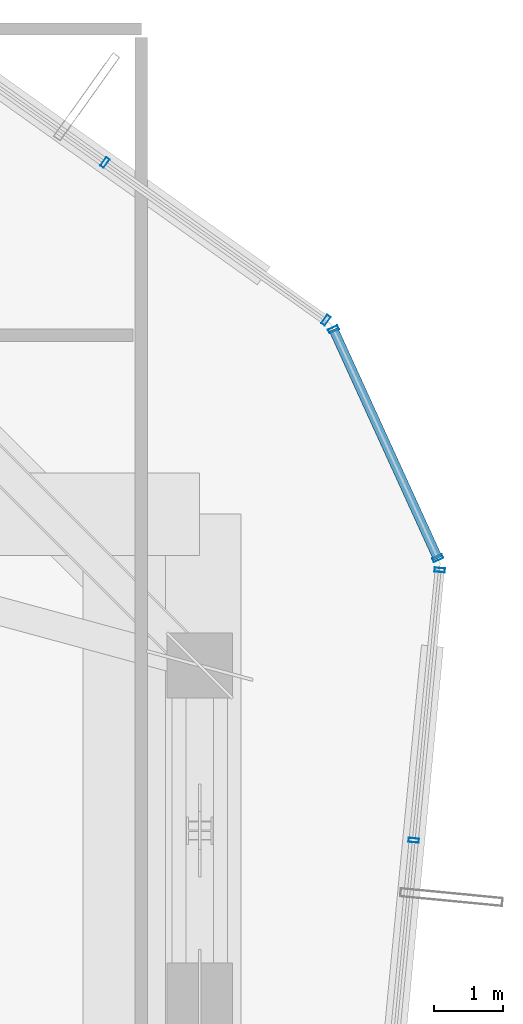
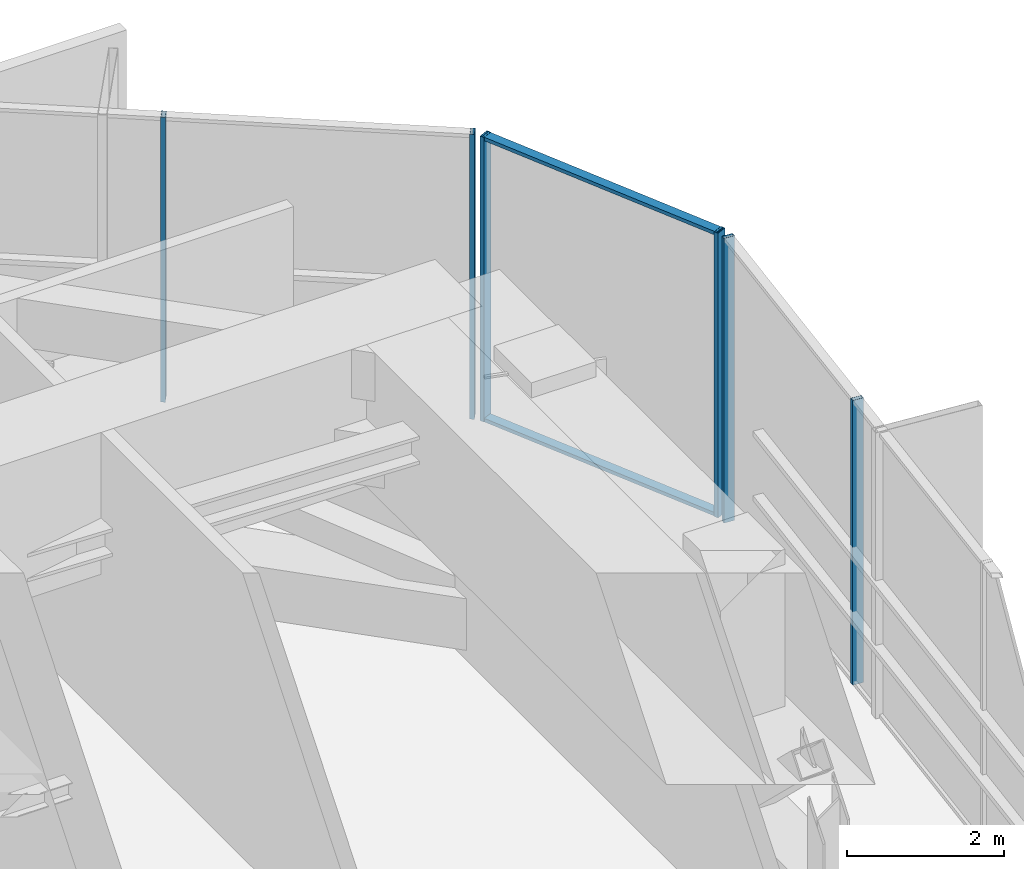
# One storey, part 20 of 31: 8 members, 3 elements without a shape of their own.
"""IFC4 building model written with IfcOpenShell, lengths in metres."""

from ifc_helpers import new_model, si_unit, direction, frame, origin, origin_2d, place, context, subcontext, project, spatial, hollow_rectangle, extrude, source, transform, mapped, material, layer, layer_set, material_profile, profile_set, type_object, element, aggregate, save


model = new_model("IFC4")

# Units and contexts
model_context = context("Model", 3, precision=1e-05, world=origin(), true_north=direction((0.0, 1.0)))
body_context = subcontext(model_context, "Body", "Model", "MODEL_VIEW")
ifc_project = project(units=[si_unit("LENGTHUNIT", "METRE"), si_unit("AREAUNIT", "SQUARE_METRE"), si_unit("VOLUMEUNIT", "CUBIC_METRE"), si_unit("PLANEANGLEUNIT", "RADIAN"), si_unit("MASSUNIT", "GRAM", prefix="KILO")], contexts=[model_context])

# Site, building, storey
site_placement = place(None, origin())
site = spatial("IfcSite", under=ifc_project, at=site_placement, CompositionType="ELEMENT")
building_placement = place(site_placement, origin())
building = spatial("IfcBuilding", under=site, at=building_placement, Name="Veraguas Prism Commons", CompositionType="ELEMENT")
storey_placement = place(building_placement, frame((0.0, 0.0, 225.39990234375)))
storey = spatial("IfcBuildingStorey", under=building, at=storey_placement, Name="L64", CompositionType="ELEMENT", Elevation=225.39990234375)

# Curtain wall, members
ifc_material = material(Name="Anodised aluminium EN AW-6063 T6", Category="aluminium")
ifc_layer = layer(ifc_material, 0.14990234375, Name="Unitised Flush Curtain Wall Zone 3", Category="aluminium")
ifc_layer_set = layer_set([ifc_layer], Name="Anodised aluminium EN AW-6063 T6")
curtain_wall_type = type_object("IfcCurtainWallType", Name="Unitised Flush Curtain Wall Zone 3", PredefinedType="NOTDEFINED", material=ifc_layer_set)
curtain_wall_1_placement = place(storey_placement, origin())
curtain_wall_1 = element("IfcCurtainWall", 1, at=curtain_wall_1_placement, inside=storey, type_object=curtain_wall_type, Name="Chamfer Curtain Wall L64-C1", PredefinedType="NOTDEFINED")
ifc_material_profile_1 = material_profile(ifc_material, hollow_rectangle(XDim=0.054931640625, YDim=0.135009765625, WallThickness=0.0029296875, at=origin_2d()), Name="AL55X135X3")
ifc_profile_set_1 = profile_set([ifc_material_profile_1], Name="Anodised aluminium EN AW-6063 T6")
member_type_1 = type_object("IfcMemberType", Name="Curtain Wall Transom Standard AL 55x135x3", PredefinedType="USERDEFINED", material=ifc_profile_set_1)
shared_shape_1 = source(origin(), body_context, "Body", "SweptSolid", [
    extrude(hollow_rectangle(XDim=0.054931640625, YDim=0.135009765625, WallThickness=0.0029296875, at=origin_2d()), origin(), (0.0, 0.0, 1.0), 3.654296875),
])
member_1_placement = place(storey_placement, frame((42.359130859375, 30.35888671875, 0.027587890625), z_axis=(-0.414693707335, 0.90996105911, 0.0), x_axis=(0.0, 0.0, 1.0)))
member_1 = element("IfcMember", 2, at=member_1_placement, type_object=member_type_1, Name="CW-Z3 Transom 1", ObjectType="TRANSOM", PredefinedType="USERDEFINED", context=body_context, shape_type="MappedRepresentation", body=[
    mapped(shared_shape_1, transform((0.0, 0.0, 0.0), scale=1.0)),
])
member_2_placement = place(storey_placement, frame((42.359130859375, 30.35888671875, 4.3876953125), z_axis=(-0.414693707335, 0.90996105911, 0.0), x_axis=(0.0, 0.0, 1.0)))
member_2 = element("IfcMember", 3, at=member_2_placement, type_object=member_type_1, Name="CW-Z3 Transom 2", ObjectType="TRANSOM", PredefinedType="USERDEFINED", context=body_context, shape_type="MappedRepresentation", body=[
    mapped(shared_shape_1, transform((0.0, 0.0, 0.0), scale=1.0)),
])

curtain_wall_2_placement = place(storey_placement, origin())
curtain_wall_2 = element("IfcCurtainWall", 4, at=curtain_wall_2_placement, inside=storey, type_object=curtain_wall_type, Name="Tower Facade Curtain Wall L64-F1", PredefinedType="NOTDEFINED")
ifc_material_profile_2 = material_profile(ifc_material, hollow_rectangle(XDim=0.06005859375, YDim=0.14990234375, WallThickness=0.0029296875, at=origin_2d()), Name="AL60X150X3")
ifc_profile_set_2 = profile_set([ifc_material_profile_2], Name="Anodised aluminium EN AW-6063 T6")
member_type_2 = type_object("IfcMemberType", Name="Curtain Wall Mullion Upper AL 60x150x3", PredefinedType="MULLION", material=ifc_profile_set_2)
shared_shape_2 = source(origin(), body_context, "Body", "SweptSolid", [
    extrude(hollow_rectangle(XDim=0.06005859375, YDim=0.14990234375, WallThickness=0.0029296875, at=origin_2d()), origin(), (0.0, 0.0, 1.0), 4.4150390625),
])
member_3_placement = place(storey_placement, frame((40.733154296875, 33.818115234375, 0.0), z_axis=(0.0, 0.0, 1.0), x_axis=(-0.814113491316, 0.580705797507, 0.0)))
member_3 = element("IfcMember", 5, at=member_3_placement, type_object=member_type_2, Name="CW-Z3 Mullion 1", PredefinedType="MULLION", context=body_context, shape_type="MappedRepresentation", body=[
    mapped(shared_shape_2, transform((0.0, 0.0, 0.0), scale=1.0)),
])
member_4_placement = place(storey_placement, frame((37.52099609375, 36.109375, 0.0), z_axis=(0.0, 0.0, 1.0), x_axis=(-0.814113491316, 0.580705797507, 0.0)))
member_4 = element("IfcMember", 6, at=member_4_placement, type_object=member_type_2, Name="CW-Z3 Mullion 2", PredefinedType="MULLION", context=body_context, shape_type="MappedRepresentation", body=[
    mapped(shared_shape_2, transform((0.0, 0.0, 0.0), scale=1.0)),
])
aggregate(curtain_wall_2, [member_3, member_4])

curtain_wall_3_placement = place(storey_placement, origin())
curtain_wall_3 = element("IfcCurtainWall", 7, at=curtain_wall_3_placement, inside=storey, type_object=curtain_wall_type, Name="Tower Facade Curtain Wall L64-F6", PredefinedType="NOTDEFINED")
member_5_placement = place(storey_placement, frame((42.009765625, 26.259765625, 0.0), z_axis=(0.0, 0.0, 1.0), x_axis=(0.095840540637, 0.995396700201, 0.0)))
member_5 = element("IfcMember", 8, at=member_5_placement, type_object=member_type_2, Name="CW-Z3 Mullion 4", PredefinedType="MULLION", context=body_context, shape_type="MappedRepresentation", body=[
    mapped(shared_shape_2, transform((0.0, 0.0, 0.0), scale=1.0)),
])
member_6_placement = place(storey_placement, frame((42.387939453125, 30.187255859375, 0.0), z_axis=(0.0, 0.0, 1.0), x_axis=(0.095840540637, 0.995396700201, 0.0)))
member_6 = element("IfcMember", 9, at=member_6_placement, type_object=member_type_2, Name="CW-Z3 Mullion 5", PredefinedType="MULLION", context=body_context, shape_type="MappedRepresentation", body=[
    mapped(shared_shape_2, transform((0.0, 0.0, 0.0), scale=1.0)),
])
aggregate(curtain_wall_3, [member_5, member_6])

# Member
member_7_placement = place(storey_placement, frame((42.359130859375, 30.35888671875, 0.0), z_axis=(0.0, 0.0, 1.0), x_axis=(-0.414691654474, 0.909961994651, 0.0)))
member_7 = element("IfcMember", 10, at=member_7_placement, type_object=member_type_2, Name="CW-Z3 Mullion 1", PredefinedType="MULLION", context=body_context, shape_type="MappedRepresentation", body=[
    mapped(shared_shape_2, transform((0.0, 0.0, 0.0), scale=1.0)),
])

member_8_placement = place(storey_placement, frame((40.84375, 33.68408203125, 0.0), z_axis=(0.0, 0.0, 1.0), x_axis=(-0.414691654474, 0.909961994651, 0.0)))
member_8 = element("IfcMember", 11, at=member_8_placement, type_object=member_type_2, Name="CW-Z3 Mullion 2", PredefinedType="MULLION", context=body_context, shape_type="MappedRepresentation", body=[
    mapped(shared_shape_2, transform((0.0, 0.0, 0.0), scale=1.0)),
])

aggregate(curtain_wall_1, [member_7, member_8, member_1, member_2])

save(model, "model.ifc")
